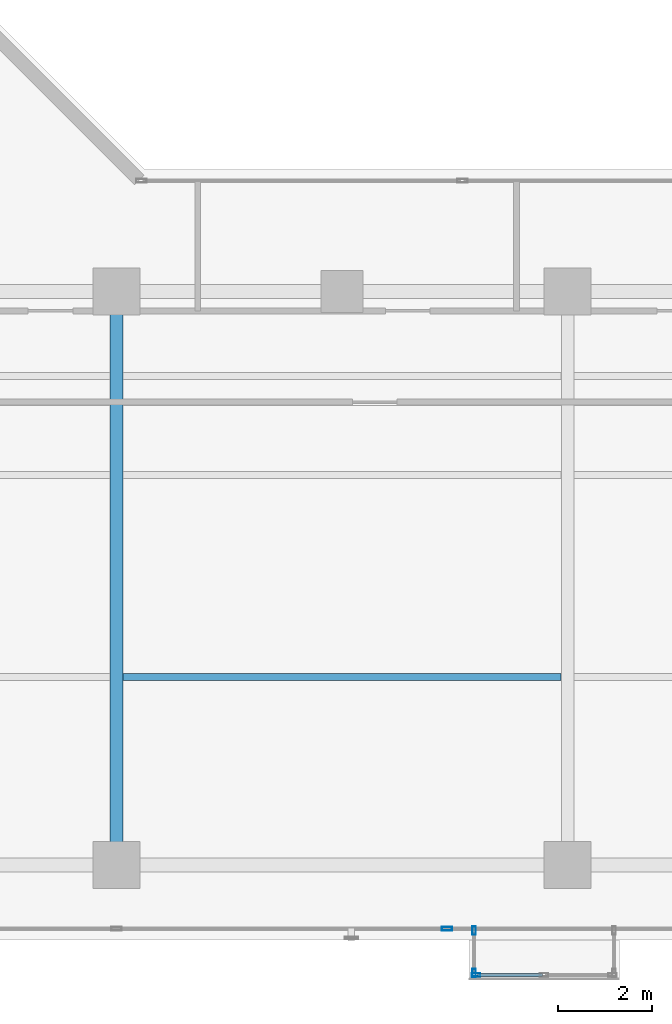
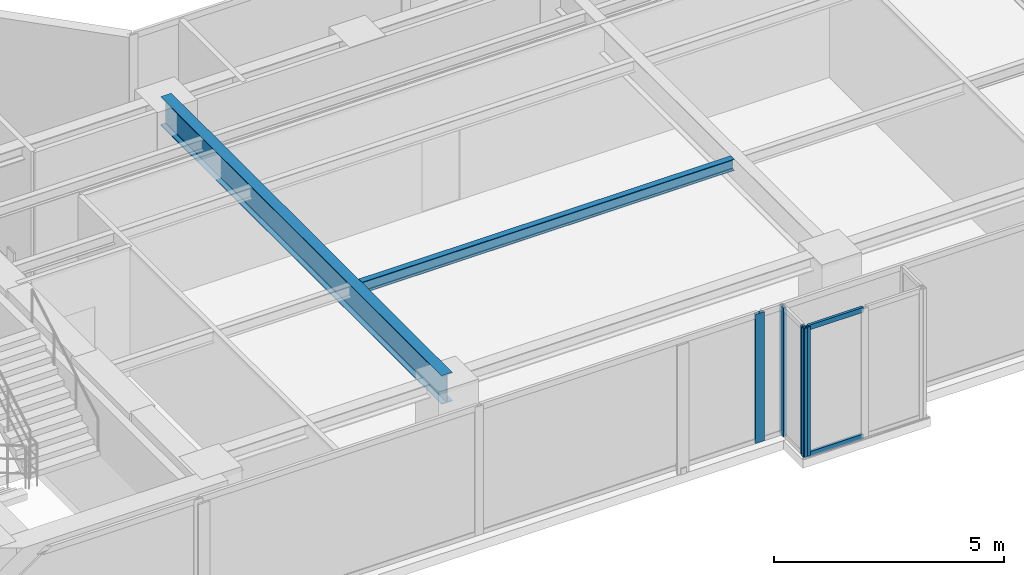
# One storey, part 5 of 24: 6 members, 2 beams, 3 elements without a shape of their own.
"""IFC4 building model written with IfcOpenShell, lengths in metres."""

from ifc_helpers import new_model, si_unit, direction, frame, origin, origin_with_axes, origin_2d, place, context, subcontext, project, spatial, hollow_rectangle, i_section, extrude, source, transform, mapped, material, layer, layer_set, material_profile, profile_set, type_object, element, aggregate, save


model = new_model("IFC4")

# Units and contexts
model_context = context("Model", 3, precision=1e-05, world=origin(), true_north=direction((0.0, 1.0)))
body_context = subcontext(model_context, "Body", "Model", "MODEL_VIEW")
ifc_project = project(units=[si_unit("LENGTHUNIT", "METRE"), si_unit("AREAUNIT", "SQUARE_METRE"), si_unit("VOLUMEUNIT", "CUBIC_METRE"), si_unit("PLANEANGLEUNIT", "RADIAN"), si_unit("MASSUNIT", "GRAM", prefix="KILO")], contexts=[model_context])

# Site, building, storey
site_placement = place(None, origin())
site = spatial("IfcSite", under=ifc_project, at=site_placement, CompositionType="ELEMENT")
building_placement = place(site_placement, origin())
building = spatial("IfcBuilding", under=site, at=building_placement, Name="Kolvaren Waterfront Exchange", CompositionType="ELEMENT")
storey_placement = place(building_placement, frame((0.0, 0.0, 253.89990234375)))
storey = spatial("IfcBuildingStorey", under=building, at=storey_placement, Name="L65", CompositionType="ELEMENT", Elevation=253.89990234375)

# Beams
ifc_material_1 = material(Name="Steel S355", Category="steel")
ifc_material_profile_1 = material_profile(ifc_material_1, i_section(OverallWidth=0.14990234375, OverallDepth=0.300048828125, WebThickness=0.007080078125, FlangeThickness=0.0107421875, FilletRadius=0.014892578125, at=origin_2d()), Name="IPE300")
ifc_profile_set_1 = profile_set([ifc_material_profile_1], Name="Steel S355")
beam_type_1 = type_object("IfcBeamType", Name="STR-BM-IPE300", PredefinedType="JOIST", material=ifc_profile_set_1)
beam_1_placement = place(storey_placement, frame((27.33544921875, 9.199951171875, 3.27001953125), z_axis=(1.0, 0.0, 0.0), x_axis=(0.0, 1.0, 0.0)))
element("IfcBeam", 1, at=beam_1_placement, inside=storey, type_object=beam_type_1, Name="L65 east-arm composite joist 2B", PredefinedType="JOIST", context=body_context, shape_type="SweptSolid", body=[
    extrude(i_section(OverallWidth=0.14990234375, OverallDepth=0.300048828125, WebThickness=0.007080078125, FlangeThickness=0.0107421875, FilletRadius=0.014892578125, at=origin_2d()), origin(), (0.0, 0.0, 1.0), 9.3291015625),
])
ifc_material_profile_2 = material_profile(ifc_material_1, i_section(OverallWidth=0.26708984375, OverallDepth=0.761962890625, WebThickness=0.014404296875, FlangeThickness=0.021484375, FilletRadius=0.01708984375, at=origin_2d()), Name="IPE750x173")
ifc_profile_set_2 = profile_set([ifc_material_profile_2], Name="Steel S355")
beam_type_2 = type_object("IfcBeamType", Name="STR-BM-IPE750", PredefinedType="BEAM", material=ifc_profile_set_2)
beam_2_placement = place(storey_placement, frame((27.199951171875, 5.199951171875, 3.0390625), z_axis=(0.0, 1.0, 0.0), x_axis=(-1.0, 0.0, 0.0)))
element("IfcBeam", 2, at=beam_2_placement, inside=storey, type_object=beam_type_2, Name="L65 east-arm transverse girder X27", PredefinedType="BEAM", context=body_context, shape_type="SweptSolid", body=[
    extrude(i_section(OverallWidth=0.26708984375, OverallDepth=0.761962890625, WebThickness=0.014404296875, FlangeThickness=0.021484375, FilletRadius=0.01708984375, at=origin_2d()), origin(), (0.0, 0.0, 1.0), 12.199951171875),
])

# Curtain wall, members
ifc_material_2 = material(Name="Anodised bronze aluminium 6063-T6", Category="aluminium")
ifc_layer_1 = layer(ifc_material_2, 0.219970703125, Name="Anodised bronze aluminium 6063-T6")
ifc_layer_set_1 = layer_set([ifc_layer_1], Name="Anodised bronze aluminium 6063-T6")
curtain_wall_type_1 = type_object("IfcCurtainWallType", Name="ARC-CW-SYS3", PredefinedType="USERDEFINED", material=ifc_layer_set_1)
curtain_wall_1_placement = place(storey_placement, origin())
curtain_wall_1 = element("IfcCurtainWall", 3, at=curtain_wall_1_placement, inside=storey, type_object=curtain_wall_type_1, Name="L65 stick curtain wall CW3 (CW-L65-BOX)", ObjectType="STICK CURTAIN WALL", PredefinedType="USERDEFINED")
ifc_material_profile_3 = material_profile(ifc_material_2, hollow_rectangle(XDim=0.06494140625, YDim=0.1298828125, WallThickness=0.00390625, at=origin_2d()), Name="ALU-TRN-130x65x4")
ifc_profile_set_3 = profile_set([ifc_material_profile_3], Name="Anodised bronze aluminium 6063-T6")
member_type_1 = type_object("IfcMemberType", Name="ARC-CWT-130", PredefinedType="USERDEFINED", material=ifc_profile_set_3)
shared_shape_1 = source(origin_with_axes(), body_context, "Body", "SweptSolid", [
    extrude(hollow_rectangle(XDim=0.06494140625, YDim=0.1298828125, WallThickness=0.00390625, at=origin_2d()), origin(), (0.0, 0.0, 1.0), 1.37744140625),
])
member_1_placement = place(storey_placement, frame((34.885009765625, 2.860107421875, 0.03271484375), z_axis=(1.0, 0.0, 0.0), x_axis=(0.0, 1.0, 0.0)))
member_1 = element("IfcMember", 4, at=member_1_placement, type_object=member_type_1, Name="CW3 transom 1.1", ObjectType="TRANSOM", PredefinedType="USERDEFINED", context=body_context, shape_type="MappedRepresentation", body=[
    mapped(shared_shape_1, transform((0.0, 0.0, 0.0), x_axis=(1.0, 0.0, 0.0), y_axis=(0.0, 1.0, 0.0), z_axis=(0.0, 0.0, 1.0), scale=1.0)),
])
member_2_placement = place(storey_placement, frame((34.885009765625, 2.860107421875, 3.3876953125), z_axis=(1.0, 0.0, 0.0), x_axis=(0.0, 1.0, 0.0)))
member_2 = element("IfcMember", 5, at=member_2_placement, type_object=member_type_1, Name="CW3 transom 1.2", ObjectType="TRANSOM", PredefinedType="USERDEFINED", context=body_context, shape_type="MappedRepresentation", body=[
    mapped(shared_shape_1, transform((0.0, 0.0, 0.0), x_axis=(1.0, 0.0, 0.0), y_axis=(0.0, 1.0, 0.0), z_axis=(0.0, 0.0, 1.0), scale=1.0)),
])

curtain_wall_2_placement = place(storey_placement, origin())
curtain_wall_2 = element("IfcCurtainWall", 6, at=curtain_wall_2_placement, inside=storey, type_object=curtain_wall_type_1, Name="L65 stick curtain wall CW3 (CW-L65-BOX-W)", ObjectType="STICK CURTAIN WALL", PredefinedType="USERDEFINED")
ifc_material_profile_4 = material_profile(ifc_material_2, hollow_rectangle(XDim=0.074951171875, YDim=0.179931640625, WallThickness=0.00439453125, at=origin_2d()), Name="ALU-MUL-180x75x4.5")
ifc_profile_set_4 = profile_set([ifc_material_profile_4], Name="Anodised bronze aluminium 6063-T6")
member_type_2 = type_object("IfcMemberType", Name="ARC-CWM-180", PredefinedType="MULLION", material=ifc_profile_set_4)
shared_shape_2 = source(origin_with_axes(), body_context, "Body", "SweptSolid", [
    extrude(hollow_rectangle(XDim=0.074951171875, YDim=0.179931640625, WallThickness=0.00439453125, at=origin_2d()), origin(), (0.0, 0.0, 1.0), 3.420166015625),
])
member_3_placement = place(storey_placement, frame((34.81005859375, 3.802490234375, 0.0), z_axis=(0.0, 0.0, 1.0), x_axis=(1.0, 0.0, 0.0)))
member_3 = element("IfcMember", 7, at=member_3_placement, type_object=member_type_2, Name="CW3 mullion 1", PredefinedType="MULLION", context=body_context, shape_type="MappedRepresentation", body=[
    mapped(shared_shape_2, transform((0.0, 0.0, 0.0), x_axis=(1.0, 0.0, 0.0), y_axis=(0.0, 1.0, 0.0), z_axis=(0.0, 0.0, 1.0), scale=1.0)),
])
member_4_placement = place(storey_placement, frame((34.81005859375, 2.8974609375, 0.0), z_axis=(0.0, 0.0, 1.0), x_axis=(1.0, 0.0, 0.0)))
member_4 = element("IfcMember", 8, at=member_4_placement, type_object=member_type_2, Name="CW3 mullion 2", PredefinedType="MULLION", context=body_context, shape_type="MappedRepresentation", body=[
    mapped(shared_shape_2, transform((0.0, 0.0, 0.0), x_axis=(1.0, 0.0, 0.0), y_axis=(0.0, 1.0, 0.0), z_axis=(0.0, 0.0, 1.0), scale=1.0)),
])
aggregate(curtain_wall_2, [member_3, member_4])

# Member
member_5_placement = place(storey_placement, frame((34.847412109375, 2.860107421875, 0.0), z_axis=(0.0, 0.0, 1.0), x_axis=(0.0, 1.0, 0.0)))
member_5 = element("IfcMember", 9, at=member_5_placement, type_object=member_type_2, Name="CW3 mullion 1", PredefinedType="MULLION", context=body_context, shape_type="MappedRepresentation", body=[
    mapped(shared_shape_2, transform((0.0, 0.0, 0.0), x_axis=(1.0, 0.0, 0.0), y_axis=(0.0, 1.0, 0.0), z_axis=(0.0, 0.0, 1.0), scale=1.0)),
])

aggregate(curtain_wall_1, [member_5, member_1, member_2])

# Curtain wall, member
ifc_layer_2 = layer(ifc_material_2, 0.219970703125, Name="Anodised bronze aluminium 6063-T6")
ifc_layer_set_2 = layer_set([ifc_layer_2], Name="Anodised bronze aluminium 6063-T6")
curtain_wall_type_2 = type_object("IfcCurtainWallType", Name="ARC-CW-SYS1", PredefinedType="USERDEFINED", material=ifc_layer_set_2)
curtain_wall_3_placement = place(storey_placement, origin())
curtain_wall_3 = element("IfcCurtainWall", 10, at=curtain_wall_3_placement, inside=storey, type_object=curtain_wall_type_2, Name="L65 stick curtain wall CW1 (CW-L65-S)", ObjectType="STICK CURTAIN WALL", PredefinedType="USERDEFINED")
ifc_material_3 = material(Name="Anodised aluminium 6063-T6", Category="aluminium")
ifc_material_profile_5 = material_profile(ifc_material_3, hollow_rectangle(XDim=0.080078125, YDim=0.219970703125, WallThickness=0.0048828125, at=origin_2d()), Name="ALU-MUL-220x80x5")
ifc_profile_set_5 = profile_set([ifc_material_profile_5], Name="Anodised aluminium 6063-T6")
member_type_3 = type_object("IfcMemberType", Name="ARC-CWM-220", PredefinedType="MULLION", material=ifc_profile_set_5)
shared_shape_3 = source(origin_with_axes(), body_context, "Body", "SweptSolid", [
    extrude(hollow_rectangle(XDim=0.080078125, YDim=0.219970703125, WallThickness=0.0048828125, at=origin_2d()), origin(), (0.0, 0.0, 1.0), 3.420166015625),
])
member_6_placement = place(storey_placement, frame((34.2333984375, 3.840087890625, 0.0), z_axis=(0.0, 0.0, 1.0), x_axis=(0.0, 1.0, 0.0)))
member_6 = element("IfcMember", 11, at=member_6_placement, type_object=member_type_3, Name="CW1 mullion 5", PredefinedType="MULLION", context=body_context, shape_type="MappedRepresentation", body=[
    mapped(shared_shape_3, transform((0.0, 0.0, 0.0), x_axis=(1.0, 0.0, 0.0), y_axis=(0.0, 1.0, 0.0), z_axis=(0.0, 0.0, 1.0), scale=1.0)),
])
aggregate(curtain_wall_3, [member_6])

save(model, "model.ifc")
